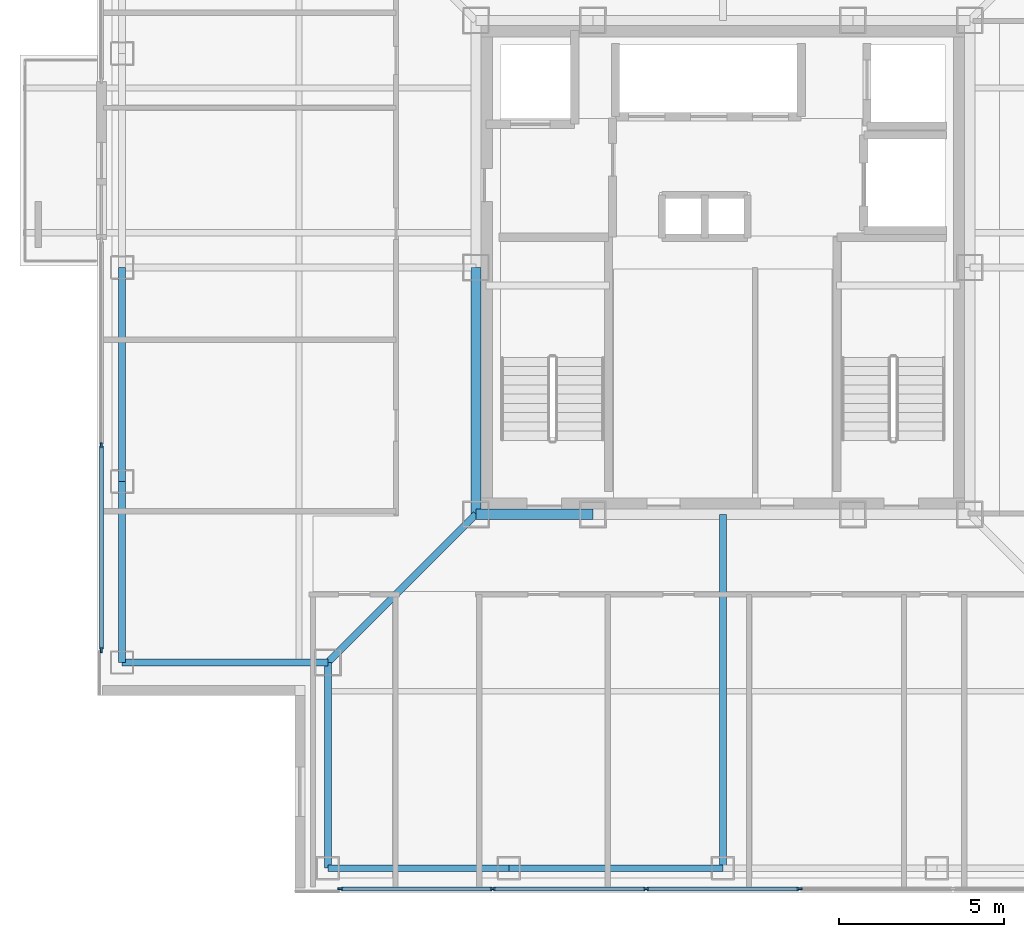
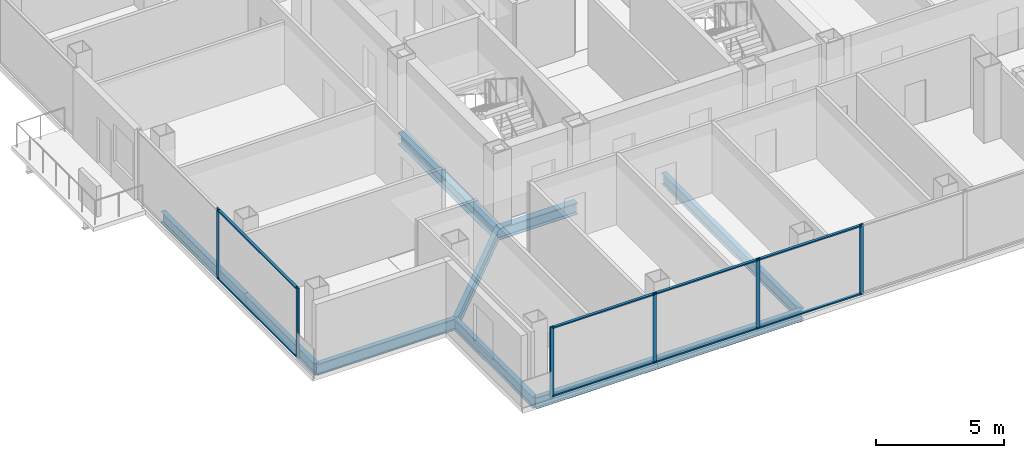
# One storey, part 2 of 13: 14 members, 10 beams, 2 elements without a shape of their own.
"""IFC4 building model written with IfcOpenShell, lengths in metres."""

from ifc_helpers import new_model, si_unit, direction, frame, origin, origin_2d, place, context, subcontext, project, spatial, rectangle, i_section, extrude, material, layer, layer_set, material_profile, profile_set, type_object, element, aggregate, save


model = new_model("IFC4")

# Units and contexts
model_context = context("Model", 3, precision=1e-05, world=origin(), true_north=direction((0.0, 1.0)))
body_context = subcontext(model_context, "Body", "Model", "MODEL_VIEW")
ifc_project = project(units=[si_unit("LENGTHUNIT", "METRE"), si_unit("AREAUNIT", "SQUARE_METRE"), si_unit("VOLUMEUNIT", "CUBIC_METRE"), si_unit("PLANEANGLEUNIT", "RADIAN"), si_unit("MASSUNIT", "GRAM", prefix="KILO")], contexts=[model_context])

# Site, building, storey
site_placement = place(None, origin())
site = spatial("IfcSite", under=ifc_project, at=site_placement, CompositionType="ELEMENT")
building_placement = place(site_placement, origin())
building = spatial("IfcBuilding", under=site, at=building_placement, Name="Trevonay Congress Spire", CompositionType="ELEMENT")
storey_placement = place(building_placement, frame((0.0, 0.0, 286.39990234375)))
storey = spatial("IfcBuildingStorey", under=building, at=storey_placement, Name="L75", CompositionType="ELEMENT", Elevation=286.39990234375)

# Beams
ifc_material_1 = material(Name="Steel ASTM A572 Grade 50", Category="steel")
ifc_material_profile_1 = material_profile(ifc_material_1, i_section(OverallWidth=0.2119140625, OverallDepth=0.5439453125, WebThickness=0.01318359375, FlangeThickness=0.021240234375, FilletRadius=0.014892578125, at=origin_2d()), Name="W530x123")
ifc_profile_set_1 = profile_set([ifc_material_profile_1], Name="Steel ASTM A572 Grade 50")
beam_type_1 = type_object("IfcBeamType", Name="BM-GIRD-W530X123", PredefinedType="BEAM", material=ifc_profile_set_1)
beam_1_placement = place(storey_placement, frame((-7.5, -7.5, -0.511962890625), z_axis=(-0.707106781187, -0.707106781187, 0.0), x_axis=(0.707106781187, -0.707106781187, 0.0)))
element("IfcBeam", 1, at=beam_1_placement, inside=storey, type_object=beam_type_1, Name="L75 structural beam BM-L75-CDSW", PredefinedType="BEAM", context=body_context, shape_type="SweptSolid", body=[
    extrude(i_section(OverallWidth=0.2119140625, OverallDepth=0.5439453125, WebThickness=0.01318359375, FlangeThickness=0.021240234375, FilletRadius=0.014892578125, at=origin_2d()), origin(), (0.0, 0.0, 1.0), 6.364013671875),
])
beam_2_placement = place(storey_placement, frame((0.0, -7.5, -0.511962890625), z_axis=(0.0, -1.0, 0.0), x_axis=(1.0, 0.0, 0.0)))
element("IfcBeam", 2, at=beam_2_placement, inside=storey, type_object=beam_type_1, Name="L75 structural beam BM-L75-GC-S", PredefinedType="BEAM", context=body_context, shape_type="SweptSolid", body=[
    extrude(i_section(OverallWidth=0.2119140625, OverallDepth=0.5439453125, WebThickness=0.01318359375, FlangeThickness=0.021240234375, FilletRadius=0.014892578125, at=origin_2d()), origin(), (0.0, 0.0, 1.0), 10.75),
])
ifc_material_profile_2 = material_profile(ifc_material_1, i_section(OverallWidth=0.31201171875, OverallDepth=0.54296875, WebThickness=0.0126953125, FlangeThickness=0.020263671875, FilletRadius=0.014892578125, at=origin_2d()), Name="W530x150")
ifc_profile_set_2 = profile_set([ifc_material_profile_2], Name="Steel ASTM A572 Grade 50")
beam_type_2 = type_object("IfcBeamType", Name="BM-GIRD-W530X150", PredefinedType="BEAM", material=ifc_profile_set_2)
beam_3_placement = place(storey_placement, frame((-7.5, -7.5, -0.511474609375), z_axis=(1.0, 0.0, 0.0), x_axis=(0.0, 1.0, 0.0)))
element("IfcBeam", 3, at=beam_3_placement, inside=storey, type_object=beam_type_2, Name="L75 structural beam BM-L75-CR-S1", PredefinedType="BEAM", context=body_context, shape_type="SweptSolid", body=[
    extrude(i_section(OverallWidth=0.31201171875, OverallDepth=0.54296875, WebThickness=0.0126953125, FlangeThickness=0.020263671875, FilletRadius=0.014892578125, at=origin_2d()), origin(), (0.0, 0.0, 1.0), 3.550048828125),
])
beam_4_placement = place(storey_placement, frame((-7.5, -7.5, -0.511474609375), z_axis=(0.0, 1.0, 0.0), x_axis=(-1.0, 0.0, 0.0)))
element("IfcBeam", 4, at=beam_4_placement, inside=storey, type_object=beam_type_2, Name="L75 structural beam BM-L75-CR-W1", PredefinedType="BEAM", context=body_context, shape_type="SweptSolid", body=[
    extrude(i_section(OverallWidth=0.31201171875, OverallDepth=0.54296875, WebThickness=0.0126953125, FlangeThickness=0.020263671875, FilletRadius=0.014892578125, at=origin_2d()), origin(), (0.0, 0.0, 1.0), 7.5),
])
ifc_material_profile_3 = material_profile(ifc_material_1, i_section(OverallWidth=0.208984375, OverallDepth=0.532958984375, WebThickness=0.01025390625, FlangeThickness=0.015625, FilletRadius=0.014892578125, at=origin_2d()), Name="W530x92")
ifc_profile_set_3 = profile_set([ifc_material_profile_3], Name="Steel ASTM A572 Grade 50")
beam_type_3 = type_object("IfcBeamType", Name="BM-RING-W530X92", PredefinedType="BEAM", material=ifc_profile_set_3)
for number, where, z_axis, x_axis, name in (
    (5, (-12.0, -18.25, -0.50634765625), (1.0, 0.0, 0.0), (0.0, 1.0, 0.0), "L75 structural beam BM-L75-PS1"),
    (6, (-18.25, -12.0, -0.50634765625), (0.0, 1.0, 0.0), (-1.0, 0.0, 0.0), "L75 structural beam BM-L75-PW1"),
):
    element("IfcBeam", number, at=place(storey_placement, frame(where, z_axis=z_axis, x_axis=x_axis)), inside=storey, type_object=beam_type_3, Name=name, PredefinedType="BEAM", context=body_context, shape_type="SweptSolid", body=[
        extrude(i_section(OverallWidth=0.208984375, OverallDepth=0.532958984375, WebThickness=0.01025390625, FlangeThickness=0.015625, FilletRadius=0.014892578125, at=origin_2d()), origin(), (0.0, 0.0, 1.0), 5.5),
    ])
for number, where, z_axis, x_axis, name in (
    (7, (-6.5, -18.25, -0.50634765625), (1.0, 0.0, 0.0), (0.0, 1.0, 0.0), "L75 structural beam BM-L75-PS2"),
    (8, (-18.25, -6.5, -0.50634765625), (0.0, 1.0, 0.0), (-1.0, 0.0, 0.0), "L75 structural beam BM-L75-PW2"),
):
    element("IfcBeam", number, at=place(storey_placement, frame(where, z_axis=z_axis, x_axis=x_axis)), inside=storey, type_object=beam_type_3, Name=name, PredefinedType="BEAM", context=body_context, shape_type="SweptSolid", body=[
        extrude(i_section(OverallWidth=0.208984375, OverallDepth=0.532958984375, WebThickness=0.01025390625, FlangeThickness=0.015625, FilletRadius=0.014892578125, at=origin_2d()), origin(), (0.0, 0.0, 1.0), 6.5),
    ])
for number, where, z_axis, x_axis, name in (
    (9, (-12.0, -18.25, -0.50634765625), (0.0, 1.0, 0.0), (-1.0, 0.0, 0.0), "L75 structural beam BM-L75-N1SW"),
    (10, (-18.25, -12.0, -0.50634765625), (1.0, 0.0, 0.0), (0.0, 1.0, 0.0), "L75 structural beam BM-L75-N2SW"),
):
    element("IfcBeam", number, at=place(storey_placement, frame(where, z_axis=z_axis, x_axis=x_axis)), inside=storey, type_object=beam_type_3, Name=name, PredefinedType="BEAM", context=body_context, shape_type="SweptSolid", body=[
        extrude(i_section(OverallWidth=0.208984375, OverallDepth=0.532958984375, WebThickness=0.01025390625, FlangeThickness=0.015625, FilletRadius=0.014892578125, at=origin_2d()), origin(), (0.0, 0.0, 1.0), 6.25),
    ])

# Curtain wall, members
ifc_material_2 = material(Name="Pale Anodised Aluminium EN AW-6063-T6", Category="aluminium")
ifc_layer = layer(ifc_material_2, 0.1650390625, Name="Pale Anodised Aluminium EN AW-6063-T6")
ifc_layer_set = layer_set([ifc_layer], Name="Pale Anodised Aluminium EN AW-6063-T6")
curtain_wall_type = type_object("IfcCurtainWallType", Name="CW-SYS05-DIPLOM-PALE-METAL", PredefinedType="NOTDEFINED", material=ifc_layer_set)
curtain_wall_1_placement = place(storey_placement, origin())
curtain_wall_1 = element("IfcCurtainWall", 11, at=curtain_wall_1_placement, inside=storey, type_object=curtain_wall_type, Name="L75 S unitised curtain wall", PredefinedType="NOTDEFINED")
ifc_material_profile_4 = material_profile(ifc_material_2, rectangle(XDim=0.06005859375, YDim=0.159912109375, at=origin_2d()), Name="CW-MULLION-160-ALUMINIUM")
ifc_profile_set_4 = profile_set([ifc_material_profile_4], Name="Pale Anodised Aluminium EN AW-6063-T6")
member_type_1 = type_object("IfcMemberType", Name="CW-MULLION-160-ALUMINIUM", PredefinedType="MULLION", material=ifc_profile_set_4)
member_1_placement = place(storey_placement, frame((-11.6201171875, -18.8798828125, 0.0), z_axis=(0.0, 0.0, 1.0), x_axis=(0.0, 1.0, 0.0)))
member_1 = element("IfcMember", 12, at=member_1_placement, type_object=member_type_1, Name="CW05 mullion 1", PredefinedType="MULLION", context=body_context, shape_type="SweptSolid", body=[
    extrude(rectangle(XDim=0.06005859375, YDim=0.159912109375, at=origin_2d()), origin(), (0.0, 0.0, 1.0), 3.360107421875),
])
member_2_placement = place(storey_placement, frame((-6.989990234375, -18.8798828125, 0.0), z_axis=(0.0, 0.0, 1.0), x_axis=(0.0, 1.0, 0.0)))
member_2 = element("IfcMember", 13, at=member_2_placement, type_object=member_type_1, Name="CW05 mullion 2", PredefinedType="MULLION", context=body_context, shape_type="SweptSolid", body=[
    extrude(rectangle(XDim=0.06005859375, YDim=0.159912109375, at=origin_2d()), origin(), (0.0, 0.0, 1.0), 3.360107421875),
])
member_3_placement = place(storey_placement, frame((-2.330078125, -18.8798828125, 0.0), z_axis=(0.0, 0.0, 1.0), x_axis=(0.0, 1.0, 0.0)))
member_3 = element("IfcMember", 14, at=member_3_placement, type_object=member_type_1, Name="CW05 mullion 3", PredefinedType="MULLION", context=body_context, shape_type="SweptSolid", body=[
    extrude(rectangle(XDim=0.06005859375, YDim=0.159912109375, at=origin_2d()), origin(), (0.0, 0.0, 1.0), 3.360107421875),
])
member_4_placement = place(storey_placement, frame((2.330078125, -18.8798828125, 0.0), z_axis=(0.0, 0.0, 1.0), x_axis=(0.0, 1.0, 0.0)))
member_4 = element("IfcMember", 15, at=member_4_placement, type_object=member_type_1, Name="CW05 mullion 4", PredefinedType="MULLION", context=body_context, shape_type="SweptSolid", body=[
    extrude(rectangle(XDim=0.06005859375, YDim=0.159912109375, at=origin_2d()), origin(), (0.0, 0.0, 1.0), 3.360107421875),
])

curtain_wall_2_placement = place(storey_placement, origin())
curtain_wall_2 = element("IfcCurtainWall", 16, at=curtain_wall_2_placement, inside=storey, type_object=curtain_wall_type, Name="L75 WA unitised curtain wall", PredefinedType="NOTDEFINED")
member_5_placement = place(storey_placement, frame((-18.8798828125, -11.6201171875, 0.0), z_axis=(0.0, 0.0, 1.0), x_axis=(-1.0, 0.0, 0.0)))
member_5 = element("IfcMember", 17, at=member_5_placement, type_object=member_type_1, Name="CW05 mullion 1", PredefinedType="MULLION", context=body_context, shape_type="SweptSolid", body=[
    extrude(rectangle(XDim=0.06005859375, YDim=0.159912109375, at=origin_2d()), origin(), (0.0, 0.0, 1.0), 3.360107421875),
])
member_6_placement = place(storey_placement, frame((-18.8798828125, -5.39990234375, 0.0), z_axis=(0.0, 0.0, 1.0), x_axis=(-1.0, 0.0, 0.0)))
member_6 = element("IfcMember", 18, at=member_6_placement, type_object=member_type_1, Name="CW05 mullion 2", PredefinedType="MULLION", context=body_context, shape_type="SweptSolid", body=[
    extrude(rectangle(XDim=0.06005859375, YDim=0.159912109375, at=origin_2d()), origin(), (0.0, 0.0, 1.0), 3.360107421875),
])

# Member
ifc_material_profile_5 = material_profile(ifc_material_2, rectangle(XDim=0.1201171875, YDim=0.06005859375, at=origin_2d()), Name="CW-TRANSOM-120-ALUMINIUM")
ifc_profile_set_5 = profile_set([ifc_material_profile_5], Name="Pale Anodised Aluminium EN AW-6063-T6")
member_type_2 = type_object("IfcMemberType", Name="CW-TRANSOM-120-ALUMINIUM", PredefinedType="USERDEFINED", material=ifc_profile_set_5)
member_7_placement = place(storey_placement, frame((-11.590087890625, -18.8798828125, 0.06005859375), z_axis=(1.0, 0.0, 0.0), x_axis=(0.0, 1.0, 0.0)))
member_7 = element("IfcMember", 19, at=member_7_placement, type_object=member_type_2, Name="CW05 transom 1.1", ObjectType="TRANSOM", PredefinedType="USERDEFINED", context=body_context, shape_type="SweptSolid", body=[
    extrude(rectangle(XDim=0.1201171875, YDim=0.06005859375, at=origin_2d()), origin(), (0.0, 0.0, 1.0), 4.570068359375),
])

member_8_placement = place(storey_placement, frame((-11.590087890625, -18.8798828125, 3.300048828125), z_axis=(1.0, 0.0, 0.0), x_axis=(0.0, 1.0, 0.0)))
member_8 = element("IfcMember", 20, at=member_8_placement, type_object=member_type_2, Name="CW05 transom 1.2", ObjectType="TRANSOM", PredefinedType="USERDEFINED", context=body_context, shape_type="SweptSolid", body=[
    extrude(rectangle(XDim=0.1201171875, YDim=0.06005859375, at=origin_2d()), origin(), (0.0, 0.0, 1.0), 4.570068359375),
])

member_9_placement = place(storey_placement, frame((-6.9599609375, -18.8798828125, 0.06005859375), z_axis=(1.0, 0.0, 0.0), x_axis=(0.0, 1.0, 0.0)))
member_9 = element("IfcMember", 21, at=member_9_placement, type_object=member_type_2, Name="CW05 transom 2.1", ObjectType="TRANSOM", PredefinedType="USERDEFINED", context=body_context, shape_type="SweptSolid", body=[
    extrude(rectangle(XDim=0.1201171875, YDim=0.06005859375, at=origin_2d()), origin(), (0.0, 0.0, 1.0), 4.599853515625),
])

member_10_placement = place(storey_placement, frame((-6.9599609375, -18.8798828125, 3.300048828125), z_axis=(1.0, 0.0, 0.0), x_axis=(0.0, 1.0, 0.0)))
member_10 = element("IfcMember", 22, at=member_10_placement, type_object=member_type_2, Name="CW05 transom 2.2", ObjectType="TRANSOM", PredefinedType="USERDEFINED", context=body_context, shape_type="SweptSolid", body=[
    extrude(rectangle(XDim=0.1201171875, YDim=0.06005859375, at=origin_2d()), origin(), (0.0, 0.0, 1.0), 4.599853515625),
])

member_11_placement = place(storey_placement, frame((-2.300048828125, -18.8798828125, 0.06005859375), z_axis=(1.0, 0.0, 0.0), x_axis=(0.0, 1.0, 0.0)))
member_11 = element("IfcMember", 23, at=member_11_placement, type_object=member_type_2, Name="CW05 transom 3.1", ObjectType="TRANSOM", PredefinedType="USERDEFINED", context=body_context, shape_type="SweptSolid", body=[
    extrude(rectangle(XDim=0.1201171875, YDim=0.06005859375, at=origin_2d()), origin(), (0.0, 0.0, 1.0), 4.60009765625),
])

member_12_placement = place(storey_placement, frame((-2.300048828125, -18.8798828125, 3.300048828125), z_axis=(1.0, 0.0, 0.0), x_axis=(0.0, 1.0, 0.0)))
member_12 = element("IfcMember", 24, at=member_12_placement, type_object=member_type_2, Name="CW05 transom 3.2", ObjectType="TRANSOM", PredefinedType="USERDEFINED", context=body_context, shape_type="SweptSolid", body=[
    extrude(rectangle(XDim=0.1201171875, YDim=0.06005859375, at=origin_2d()), origin(), (0.0, 0.0, 1.0), 4.60009765625),
])

aggregate(curtain_wall_1, [member_1, member_2, member_3, member_4, member_7, member_8, member_9, member_10, member_11, member_12])

member_13_placement = place(storey_placement, frame((-18.8798828125, -11.590087890625, 0.06005859375), z_axis=(0.0, 1.0, 0.0), x_axis=(-1.0, 0.0, 0.0)))
member_13 = element("IfcMember", 25, at=member_13_placement, type_object=member_type_2, Name="CW05 transom 1.1", ObjectType="TRANSOM", PredefinedType="USERDEFINED", context=body_context, shape_type="SweptSolid", body=[
    extrude(rectangle(XDim=0.1201171875, YDim=0.06005859375, at=origin_2d()), origin(), (0.0, 0.0, 1.0), 6.16015625),
])

member_14_placement = place(storey_placement, frame((-18.8798828125, -11.590087890625, 3.300048828125), z_axis=(0.0, 1.0, 0.0), x_axis=(-1.0, 0.0, 0.0)))
member_14 = element("IfcMember", 26, at=member_14_placement, type_object=member_type_2, Name="CW05 transom 1.2", ObjectType="TRANSOM", PredefinedType="USERDEFINED", context=body_context, shape_type="SweptSolid", body=[
    extrude(rectangle(XDim=0.1201171875, YDim=0.06005859375, at=origin_2d()), origin(), (0.0, 0.0, 1.0), 6.16015625),
])

aggregate(curtain_wall_2, [member_5, member_6, member_13, member_14])

save(model, "model.ifc")
